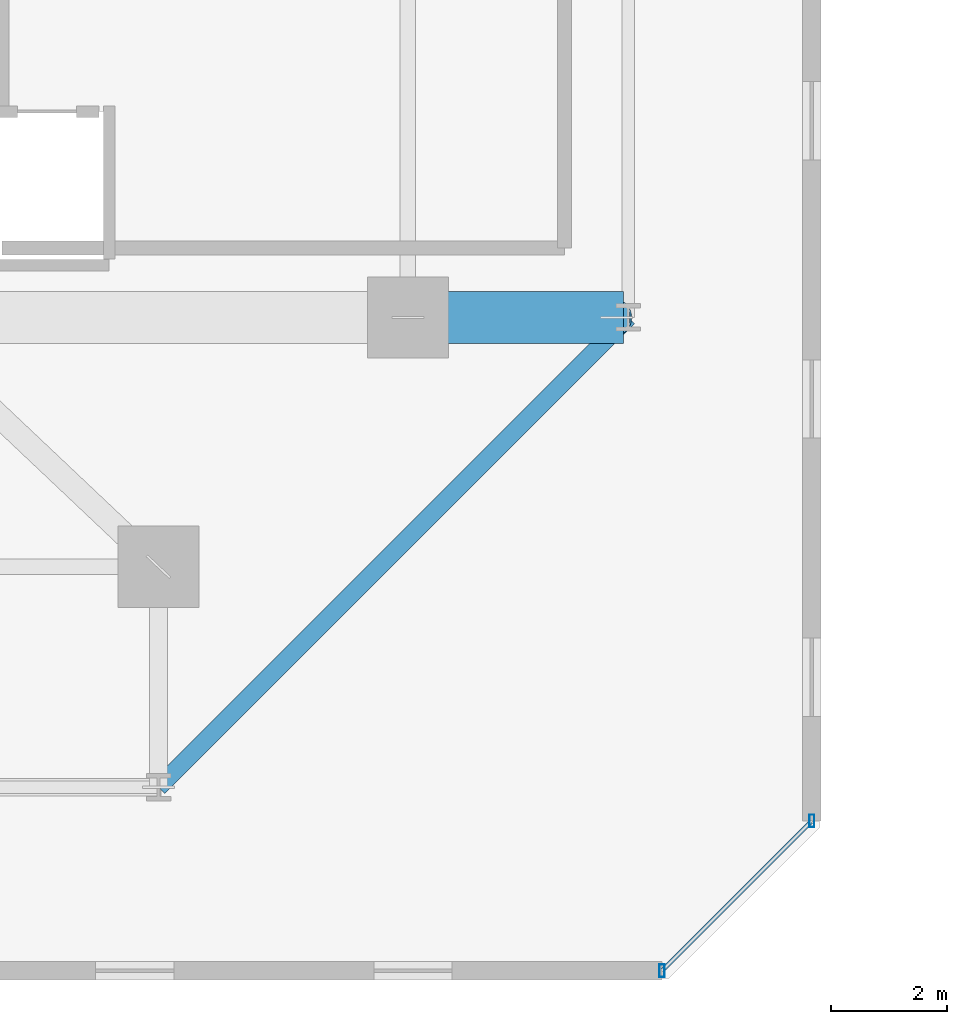
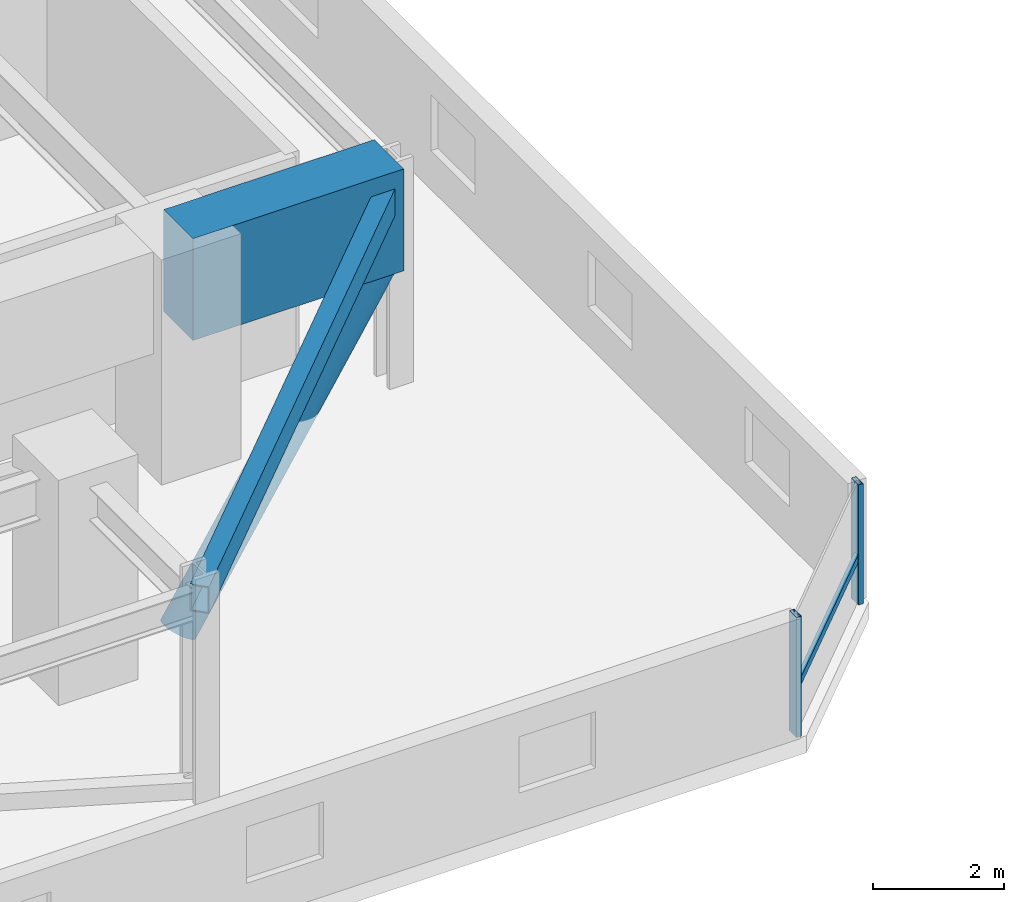
# One storey, part 5 of 38: 4 members, 2 beams, 1 element without a shape of its own.
"""IFC4 building model written with IfcOpenShell, lengths in metres."""

import ifcopenshell
import ifcopenshell.guid

model = None  # the IFC model being written
_history = None  # IfcOwnerHistory: only IFC2X3 demands one
_inside = {}  # id of a spatial element -> (the spatial element, [elements in it])
_under = {}  # id of a project, library or spatial element -> (it, [spatial elements below it])
_declared = {}  # id of a project -> (the project, [libraries it declares])
_typed = {}  # id of a type object -> (the type object, [elements of that type])
_made_of = {}  # id of a material, layer set ... -> (it, [elements and type objects made of it])


def new_model(schema):
    """Start an empty IFC model of exactly this schema.

    Asked for "IFC4X3", IfcOpenShell would pick the latest addendum, in which some entities
    have other attributes; the version numbers below select the first issue.
    IFC2X3 requires an IfcOwnerHistory on every rooted entity: one is made here for all.
    """
    global model, _history
    if schema == "IFC4X3":
        model = ifcopenshell.file(schema_version=(4, 3, 0, 0))
    else:
        model = ifcopenshell.file(schema=schema)
    _inside.clear()
    _under.clear()
    _declared.clear()
    _typed.clear()
    _made_of.clear()
    _history = None
    if model.schema == "IFC2X3":
        org = make("IfcOrganization", Name="unknown")
        user = make(
            "IfcPersonAndOrganization",
            ThePerson=make("IfcPerson", FamilyName="unknown"),
            TheOrganization=org,
        )
        app = make(
            "IfcApplication",
            ApplicationDeveloper=org,
            Version="unknown",
            ApplicationFullName="unknown",
            ApplicationIdentifier="unknown",
        )
        _history = make(
            "IfcOwnerHistory",
            OwningUser=user,
            OwningApplication=app,
            ChangeAction="ADDED",
            CreationDate=0,
        )
    return model


def make(cls, **values):
    """One entity of the class cls with the attributes given. An attribute that is None is left unset."""
    return model.create_entity(
        cls, **{name: value for name, value in values.items() if value is not None}
    )


def rooted(cls, **values):
    """An entity with a GlobalId (a new one), such as an element, a storey or a relation."""
    return make(cls, GlobalId=ifcopenshell.guid.new(), OwnerHistory=_history, **values)


def si_unit(unit_type, name, prefix=None):
    """IfcSIUnit, for example si_unit("LENGTHUNIT", "METRE", prefix="MILLI")."""
    return make("IfcSIUnit", UnitType=unit_type, Prefix=prefix, Name=name)


def assignment(units):
    """IfcUnitAssignment: the units of a project."""
    return None if units is None else make("IfcUnitAssignment", Units=units)


def point(xyz):
    """IfcCartesianPoint."""
    return None if xyz is None else make("IfcCartesianPoint", Coordinates=xyz)


def direction(xyz):
    """IfcDirection."""
    return None if xyz is None else make("IfcDirection", DirectionRatios=xyz)


def frame(location, z_axis=None, x_axis=None):
    """IfcAxis2Placement3D, a coordinate frame: its origin and axes. An axis left out is left unset."""
    return make(
        "IfcAxis2Placement3D",
        Location=point(location),
        Axis=direction(z_axis),
        RefDirection=direction(x_axis),
    )


def frame_2d(location, x_axis=None):
    """IfcAxis2Placement2D, a coordinate frame in the plane: its origin and x axis."""
    return make(
        "IfcAxis2Placement2D", Location=point(location), RefDirection=direction(x_axis)
    )


def origin():
    """The frame at (0, 0, 0) with its axes left unset."""
    return frame((0.0, 0.0, 0.0))


def origin_2d():
    """The frame at (0, 0) in the plane with its x axis left unset."""
    return frame_2d((0.0, 0.0))


def place(relative_to, where):
    """IfcLocalPlacement: puts the frame where relative to a parent placement (None: the world)."""
    return make(
        "IfcLocalPlacement", PlacementRelTo=relative_to, RelativePlacement=where
    )


def context(
    kind, dimensions, precision=None, world=None, true_north=None, identifier=None
):
    """IfcGeometricRepresentationContext, for example the 3D "Model" context."""
    return make(
        "IfcGeometricRepresentationContext",
        ContextIdentifier=identifier,
        ContextType=kind,
        CoordinateSpaceDimension=dimensions,
        Precision=precision,
        WorldCoordinateSystem=world,
        TrueNorth=true_north,
    )


def subcontext(parent, identifier, kind, view, scale=None):
    """IfcGeometricRepresentationSubContext, for example "Body" below "Model"."""
    return make(
        "IfcGeometricRepresentationSubContext",
        ContextIdentifier=identifier,
        ContextType=kind,
        ParentContext=parent,
        TargetScale=scale,
        TargetView=view,
    )


def project(units=None, contexts=None):
    """IfcProject with its units and contexts."""
    return rooted(
        "IfcProject",
        Name="project",
        RepresentationContexts=contexts,
        UnitsInContext=assignment(units),
    )


def spatial(cls, under=None, at=None, **own):
    """A site, building, storey or space (cls), placed at a placement, below another one or the project."""
    s = rooted(cls, ObjectPlacement=at, **own)
    if under is not None:
        _under.setdefault(under.id(), (under, []))[1].append(s)
    return s


def profile(cls, at=None, kind="AREA", **sizes):
    """A parametric profile (cls). Its sizes go by their IFC names, for example OverallWidth=200.0."""
    return make(cls, ProfileType=kind, Position=at, **sizes)


def rectangle(**sizes):
    """IfcRectangleProfileDef."""
    return profile("IfcRectangleProfileDef", **sizes)


def hollow_rectangle(**sizes):
    """IfcRectangleHollowProfileDef."""
    return profile("IfcRectangleHollowProfileDef", **sizes)


def hollow_circle(**sizes):
    """IfcCircleHollowProfileDef."""
    return profile("IfcCircleHollowProfileDef", **sizes)


def extrude(swept, where, along, depth):
    """IfcExtrudedAreaSolid: the profile swept, set in the frame where, extruded along a direction by depth."""
    return make(
        "IfcExtrudedAreaSolid",
        SweptArea=swept,
        Position=where,
        ExtrudedDirection=direction(along),
        Depth=depth,
    )


def shape(context_of_items, identifier, shape_type, items):
    """IfcShapeRepresentation: the items that make up one representation, for example the "Body"."""
    return make(
        "IfcShapeRepresentation",
        ContextOfItems=context_of_items,
        RepresentationIdentifier=identifier,
        RepresentationType=shape_type,
        Items=items,
    )


def material(Name=None, Category=None):
    """IfcMaterial."""
    return make("IfcMaterial", Name=Name, Category=Category)


def material_profile(
    of_material, cross_section, Name=None, Category=None, Priority=None
):
    """IfcMaterialProfile: a cross section and its material."""
    return make(
        "IfcMaterialProfile",
        Name=Name,
        Material=of_material,
        Profile=cross_section,
        Priority=Priority,
        Category=Category,
    )


def profile_set(profiles, Name=None, composite=None):
    """IfcMaterialProfileSet."""
    return make(
        "IfcMaterialProfileSet",
        Name=Name,
        MaterialProfiles=profiles,
        CompositeProfile=composite,
    )


def made_of(thing, what):
    """Note that an element or type object is made of a material, layer set ...; save() writes the relation."""
    if what is not None:
        _made_of.setdefault(what.id(), (what, []))[1].append(thing)
    return thing


def type_object(cls, material=None, **own):
    """A type object (cls), such as IfcWallType, which elements share."""
    return made_of(rooted(cls, **own), material)


def element(
    cls,
    number,
    at=None,
    inside=None,
    cuts=None,
    type_object=None,
    material=None,
    context=None,
    identifier="Body",
    shape_type=None,
    held_by="IfcProductDefinitionShape",
    body=None,
    shapes=None,
    **own,
):
    """One element of the class cls, such as IfcWall. Its Tag is "e" and its number.

    at: its placement. inside: the storey or other place that contains it. cuts: it is an
    opening in that element (IfcRelVoidsElement). A single representation is given by context,
    identifier, shape_type and body (its items); several are given by shapes. held_by: the class
    of the entity that holds the representations. save() writes the other relations.
    """
    e = rooted(cls, Tag="e%d" % number, ObjectPlacement=at, **own)
    if body is not None:
        shapes = [shape(context, identifier, shape_type, body)]
    if shapes is not None:
        e.Representation = make(held_by, Representations=shapes)
    if inside is not None:
        _inside.setdefault(inside.id(), (inside, []))[1].append(e)
    if cuts is not None:
        rooted(
            "IfcRelVoidsElement", RelatingBuildingElement=cuts, RelatedOpeningElement=e
        )
    if type_object is not None:
        _typed.setdefault(type_object.id(), (type_object, []))[1].append(e)
    return made_of(e, material)


def aggregate(whole, parts):
    """IfcRelAggregates: a whole, such as a stair, and the parts it consists of."""
    return rooted("IfcRelAggregates", RelatingObject=whole, RelatedObjects=parts)


def save(model, path):
    """Write the relations noted so far, then the file.

    IfcRelAggregates (storeys below a building ...), IfcRelContainedInSpatialStructure (elements
    in a storey), IfcRelDefinesByType, IfcRelAssociatesMaterial and IfcRelDeclares: one each for
    every whole, place, type object, material and project.
    """
    for whole, parts in _under.values():
        aggregate(whole, parts)
    for where, things in _inside.values():
        rooted(
            "IfcRelContainedInSpatialStructure",
            RelatedElements=things,
            RelatingStructure=where,
        )
    for kind, things in _typed.values():
        rooted("IfcRelDefinesByType", RelatedObjects=things, RelatingType=kind)
    for what, things in _made_of.values():
        rooted("IfcRelAssociatesMaterial", RelatedObjects=things, RelatingMaterial=what)
    for by, libraries in _declared.values():
        rooted("IfcRelDeclares", RelatingContext=by, RelatedDefinitions=libraries)
    model.write(path)


model = new_model("IFC4")

# Units and contexts
model_context = context("Model", 3, precision=1e-05, world=origin(), true_north=direction((0.0, 1.0)))
body_context = subcontext(model_context, "Body", "Model", "MODEL_VIEW")
ifc_project = project(units=[si_unit("LENGTHUNIT", "METRE"), si_unit("AREAUNIT", "SQUARE_METRE"), si_unit("VOLUMEUNIT", "CUBIC_METRE"), si_unit("PLANEANGLEUNIT", "RADIAN"), si_unit("MASSUNIT", "GRAM", prefix="KILO")], contexts=[model_context])

# Site, building, storey
site_placement = place(None, origin())
site = spatial("IfcSite", under=ifc_project, at=site_placement, CompositionType="ELEMENT")
building_placement = place(site_placement, origin())
building = spatial("IfcBuilding", under=site, at=building_placement, Name="Thornwick Lancets Civic Towers", CompositionType="ELEMENT")
storey_placement = place(building_placement, frame((0.0, 0.0, 71.699951171875)))
storey = spatial("IfcBuildingStorey", under=building, at=storey_placement, Name="L18", CompositionType="ELEMENT", Elevation=71.699951171875)

# Beams
ifc_material_1 = material(Name="Steel S460M", Category="steel")
ifc_material_profile_1 = material_profile(ifc_material_1, hollow_rectangle(XDim=0.300048828125, YDim=0.5, WallThickness=0.02001953125, at=origin_2d()), Name="RHS 500x300x20")
ifc_profile_set_1 = profile_set([ifc_material_profile_1], Name="Steel S460M")
beam_type_1 = type_object("IfcBeamType", Name="BM_RING_RHS500", PredefinedType="BEAM", material=ifc_profile_set_1)
beam_1_placement = place(storey_placement, frame((38.5, 5.89990234375, 3.630126953125), z_axis=(0.707106781187, 0.707106781187, 0.0), x_axis=(-0.707106781187, 0.707106781187, 0.0)))
element("IfcBeam", 1, at=beam_1_placement, inside=storey, type_object=beam_type_1, Name="BM-CHAMF-L18-A-C0", PredefinedType="BEAM", context=body_context, shape_type="SweptSolid", body=[
    extrude(hollow_rectangle(XDim=0.300048828125, YDim=0.5, WallThickness=0.02001953125, at=origin_2d()), origin(), (0.0, 0.0, 1.0), 11.455322265625),
])
ifc_material_2 = material(Name="Concrete C60/75", Category="concrete")
ifc_material_profile_2 = material_profile(ifc_material_2, rectangle(XDim=0.89990234375, YDim=1.89990234375, at=origin_2d()), Name="RC 900x1900")
ifc_profile_set_2 = profile_set([ifc_material_profile_2], Name="Concrete C60/75")
beam_type_2 = type_object("IfcBeamType", Name="BM_TR_RC1900", PredefinedType="BEAM", material=ifc_profile_set_2)
beam_2_placement = place(storey_placement, frame((42.800048828125, 14.0, 3.25), z_axis=(1.0, 0.0, 0.0), x_axis=(0.0, 1.0, 0.0)))
element("IfcBeam", 2, at=beam_2_placement, inside=storey, type_object=beam_type_2, Name="TG-CANT-L19-A04", PredefinedType="BEAM", context=body_context, shape_type="SweptSolid", body=[
    extrude(rectangle(XDim=0.89990234375, YDim=1.89990234375, at=origin_2d()), origin(), (0.0, 0.0, 1.0), 3.719970703125),
])

# Curtain wall, members
ifc_material_3 = material(Name="Low-zone chamfered-corner unitised glass curtain wall", Category="glass")
curtain_wall_type = type_object("IfcCurtainWallType", Name="CW_SYS_03", PredefinedType="NOTDEFINED", material=ifc_material_3)
curtain_wall_placement = place(storey_placement, origin())
curtain_wall = element("IfcCurtainWall", 3, at=curtain_wall_placement, inside=storey, type_object=curtain_wall_type, Name="L18 Curtain Wall CW-L18-A-E1", PredefinedType="NOTDEFINED")
ifc_material_4 = material(Name="Thermally broken bronze aluminium S355", Category="steel")
ifc_material_profile_3 = material_profile(ifc_material_4, hollow_rectangle(XDim=0.090087890625, YDim=0.219970703125, WallThickness=0.00634765625, at=origin_2d()), Name="RHS 220x90x6.3")
ifc_profile_set_3 = profile_set([ifc_material_profile_3], Name="Thermally broken bronze aluminium S355")
member_type_1 = type_object("IfcMemberType", Name="CW_MUL_220", PredefinedType="MULLION", material=ifc_profile_set_3)
member_1_placement = place(storey_placement, frame((47.18115234375, 2.735107421875, 0.0), z_axis=(0.0, 0.0, 1.0), x_axis=(1.0, 0.0, 0.0)))
member_1 = element("IfcMember", 4, at=member_1_placement, type_object=member_type_1, Name="CW-L18-A-E1 Mullion 0", PredefinedType="MULLION", context=body_context, shape_type="SweptSolid", body=[
    extrude(hollow_rectangle(XDim=0.090087890625, YDim=0.219970703125, WallThickness=0.00634765625, at=origin_2d()), origin(), (0.0, 0.0, 1.0), 2.239990234375),
])
member_2_placement = place(storey_placement, frame((49.764892578125, 5.31884765625, 0.0), z_axis=(0.0, 0.0, 1.0), x_axis=(1.0, 0.0, 0.0)))
member_2 = element("IfcMember", 5, at=member_2_placement, type_object=member_type_1, Name="CW-L18-A-E1 Mullion 1", PredefinedType="MULLION", context=body_context, shape_type="SweptSolid", body=[
    extrude(hollow_rectangle(XDim=0.090087890625, YDim=0.219970703125, WallThickness=0.00634765625, at=origin_2d()), origin(), (0.0, 0.0, 1.0), 2.239990234375),
])
ifc_material_profile_4 = material_profile(ifc_material_4, hollow_rectangle(XDim=0.074951171875, YDim=0.14990234375, WallThickness=0.0048828125, at=origin_2d()), Name="RHS 150x75x5")
ifc_profile_set_4 = profile_set([ifc_material_profile_4], Name="Thermally broken bronze aluminium S355")
member_type_2 = type_object("IfcMemberType", Name="CW_TRN_150", PredefinedType="USERDEFINED", material=ifc_profile_set_4)
member_3_placement = place(storey_placement, frame((47.1953125, 2.749267578125, 0.85009765625), z_axis=(0.707106781187, 0.707106781187, 0.0), x_axis=(-0.707106781187, 0.707106781187, 0.0)))
member_3 = element("IfcMember", 6, at=member_3_placement, type_object=member_type_2, Name="CW-L18-A-E1 Transom 0", ObjectType="TRANSOM", PredefinedType="USERDEFINED", context=body_context, shape_type="SweptSolid", body=[
    extrude(hollow_rectangle(XDim=0.074951171875, YDim=0.14990234375, WallThickness=0.0048828125, at=origin_2d()), origin(), (0.0, 0.0, 1.0), 3.614013671875),
])
aggregate(curtain_wall, [member_1, member_2, member_3])

# Member
ifc_material_profile_5 = material_profile(ifc_material_1, hollow_circle(Radius=0.304931640625, WallThickness=0.030029296875, at=origin_2d()), Name="CHS 610x30")
ifc_profile_set_5 = profile_set([ifc_material_profile_5], Name="Steel S460M")
member_type_3 = type_object("IfcMemberType", Name="MEM_STRUT_CHS610", PredefinedType="STRUT", material=ifc_profile_set_5)
member_4_placement = place(storey_placement, frame((42.800048828125, 14.0, -3.349853515625), z_axis=(0.531975728187, 0.0, 0.846759602614), x_axis=(0.0, 1.0, 0.0)))
element("IfcMember", 7, at=member_4_placement, inside=storey, type_object=member_type_3, Name="L19 Jenga Transfer Raking Strut A04", PredefinedType="STRUT", context=body_context, shape_type="SweptSolid", body=[
    extrude(hollow_circle(Radius=0.304931640625, WallThickness=0.030029296875, at=origin_2d()), origin(), (0.0, 0.0, 1.0), 6.766845703125),
])

save(model, "model.ifc")
